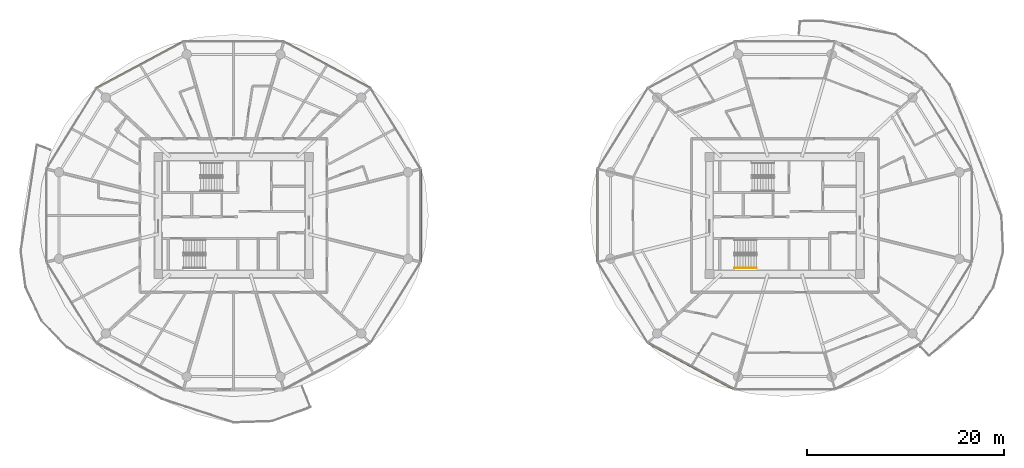
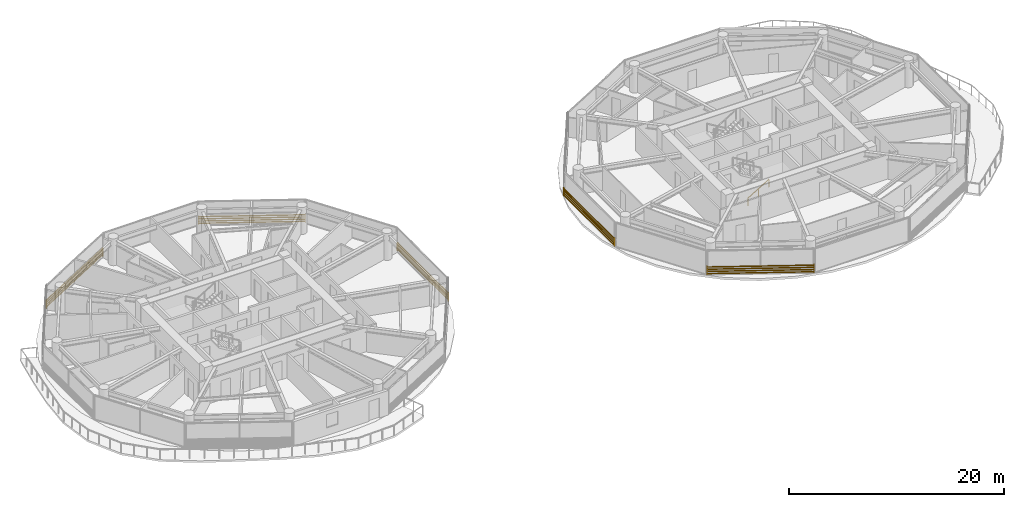
# One storey, part 25 of 27: 5 shading devices, 1 railing.
"""IFC4 building model written with IfcOpenShell, lengths in metres."""

from ifc_helpers import new_model, si_unit, direction, frame, origin, origin_2d, place, context, subcontext, project, spatial, rectangle, extrude, source, transform, mapped, material, type_object, type_shapes, element, save


model = new_model("IFC4")

# Units and contexts
model_context = context("Model", 3, precision=1e-05, world=origin(), true_north=direction((0.0, 1.0)))
body_context = subcontext(model_context, "Body", "Model", "MODEL_VIEW")
ifc_project = project(units=[si_unit("LENGTHUNIT", "METRE"), si_unit("AREAUNIT", "SQUARE_METRE"), si_unit("VOLUMEUNIT", "CUBIC_METRE"), si_unit("PLANEANGLEUNIT", "RADIAN"), si_unit("MASSUNIT", "GRAM", prefix="KILO")], contexts=[model_context])

# Site, building, storey
site_placement = place(None, origin())
site = spatial("IfcSite", under=ifc_project, at=site_placement, CompositionType="ELEMENT")
building_placement = place(site_placement, origin())
building = spatial("IfcBuilding", under=site, at=building_placement, Name="Norrkilde Senior Care Towers", CompositionType="ELEMENT")
storey_placement = place(building_placement, frame((0.0, 0.0, 46.0)))
storey = spatial("IfcBuildingStorey", under=building, at=storey_placement, Name="L13", CompositionType="ELEMENT", Elevation=46.0)

# Railing
ifc_material_1 = material(Name="Nordic Ash Timber", Category="wood")
railing_type = type_object("IfcRailingType", Name="Wall and Stair Handrail 900", PredefinedType="HANDRAIL", material=ifc_material_1)
railing_placement = place(storey_placement, frame((22.89990234375, -5.35009765625, 0.16943359375)))
element("IfcRailing", 1, at=railing_placement, inside=storey, type_object=railing_type, Name="L13 ST-E2 stair handrail 1", PredefinedType="HANDRAIL", context=body_context, shape_type="SweptSolid", body=[
    extrude(rectangle(XDim=0.048095703125, YDim=0.048095703125, at=origin_2d()), frame((0.0, 0.0, 0.8759765625), z_axis=(0.855553338991, 0.0, 0.51771467445), x_axis=(0.0, 1.0, 0.0)), (0.0, 0.0, 1.0), 2.6181640625),
    extrude(rectangle(XDim=0.0419921875, YDim=0.0419921875, at=origin_2d()), origin(), (0.0, 0.0, 1.0), 0.849853515625),
    extrude(rectangle(XDim=0.0419921875, YDim=0.0419921875, at=origin_2d()), frame((1.1201171875, 0.0, 0.677734375)), (0.0, 0.0, 1.0), 0.849853515625),
    extrude(rectangle(XDim=0.0419921875, YDim=0.0419921875, at=origin_2d()), frame((2.239990234375, 0.0, 1.35546875)), (0.0, 0.0, 1.0), 0.849853515625),
])

# Shading devices
ifc_material_2 = material(Name="Architectural Terracotta", Category="masonry")
shading_device_type = type_object("IfcShadingDeviceType", Name="Horizontal Terracotta Baguette Rack", PredefinedType="USERDEFINED", material=ifc_material_2)
shared_shape_1 = source(origin(), body_context, "Body", "SweptSolid", [
    extrude(rectangle(XDim=0.070068359375, YDim=0.110107421875, at=origin_2d()), frame((0.0, 0.090087890625, 0.125), z_axis=(1.0, 0.0, 0.0), x_axis=(0.0, 1.0, 0.0)), (0.0, 0.0, 1.0), 10.0107421875),
    extrude(rectangle(XDim=0.070068359375, YDim=0.110107421875, at=origin_2d()), frame((0.0, 0.090087890625, 0.375), z_axis=(1.0, 0.0, 0.0), x_axis=(0.0, 1.0, 0.0)), (0.0, 0.0, 1.0), 10.0107421875),
    extrude(rectangle(XDim=0.070068359375, YDim=0.110107421875, at=origin_2d()), frame((0.0, 0.090087890625, 0.625), z_axis=(1.0, 0.0, 0.0), x_axis=(0.0, 1.0, 0.0)), (0.0, 0.0, 1.0), 10.0107421875),
    extrude(rectangle(XDim=0.070068359375, YDim=0.110107421875, at=origin_2d()), frame((0.0, 0.090087890625, 0.875), z_axis=(1.0, 0.0, 0.0), x_axis=(0.0, 1.0, 0.0)), (0.0, 0.0, 1.0), 10.0107421875),
    extrude(rectangle(XDim=0.050048828125, YDim=0.1552734375, at=origin_2d()), frame((0.02490234375, 0.047607421875, 0.0)), (0.0, 0.0, 1.0), 1.0),
    extrude(rectangle(XDim=0.050048828125, YDim=0.1552734375, at=origin_2d()), frame((9.98583984375, 0.047607421875, 0.0)), (0.0, 0.0, 1.0), 1.0),
])
for number, where, z_axis, x_axis, name in (
    (2, (-22.906494140625, 17.6572265625, 0.080078125), (0.0, 0.0, 1.0), (0.881279875134, -0.472612428056, 0.0), "L13 Drum W Terracotta Baguette Screen 01"),
    (3, (-41.915771484375, 12.926025390625, 0.080078125), (0.0, 0.0, 1.0), (0.881279875134, 0.472612428056, 0.0), "L13 Drum W Terracotta Baguette Screen 03"),
    (4, (22.906494140625, -17.6572265625, 0.080078125), (0.0, 0.0, 1.0), (-0.881279875134, 0.472612428056, 0.0), "L13 Drum E Terracotta Baguette Screen 07"),
):
    element("IfcShadingDevice", number, at=place(storey_placement, frame(where, z_axis=z_axis, x_axis=x_axis)), inside=storey, type_object=shading_device_type, Name=name, ObjectType="BAGUETTE", PredefinedType="USERDEFINED", context=body_context, shape_type="MappedRepresentation", body=[
        mapped(shared_shape_1, transform((0.0, 0.0, 0.0), x_axis=(1.0, 0.0, 0.0), y_axis=(0.0, 1.0, 0.0), z_axis=(0.0, 0.0, 1.0), scale=1.0)),
    ])
shared_shape_2 = source(origin(), body_context, "Body", "SweptSolid", [
    extrude(rectangle(XDim=0.070068359375, YDim=0.110107421875, at=origin_2d()), frame((0.0, 0.090087890625, 0.125), z_axis=(1.0, 0.0, 0.0), x_axis=(0.0, 1.0, 0.0)), (0.0, 0.0, 1.0), 9.46240234375),
    extrude(rectangle(XDim=0.070068359375, YDim=0.110107421875, at=origin_2d()), frame((0.0, 0.090087890625, 0.375), z_axis=(1.0, 0.0, 0.0), x_axis=(0.0, 1.0, 0.0)), (0.0, 0.0, 1.0), 9.46240234375),
    extrude(rectangle(XDim=0.070068359375, YDim=0.110107421875, at=origin_2d()), frame((0.0, 0.090087890625, 0.625), z_axis=(1.0, 0.0, 0.0), x_axis=(0.0, 1.0, 0.0)), (0.0, 0.0, 1.0), 9.46240234375),
    extrude(rectangle(XDim=0.070068359375, YDim=0.110107421875, at=origin_2d()), frame((0.0, 0.090087890625, 0.875), z_axis=(1.0, 0.0, 0.0), x_axis=(0.0, 1.0, 0.0)), (0.0, 0.0, 1.0), 9.46240234375),
    extrude(rectangle(XDim=0.050048828125, YDim=0.1552734375, at=origin_2d()), frame((0.02490234375, 0.047607421875, 0.0)), (0.0, 0.0, 1.0), 1.0),
    extrude(rectangle(XDim=0.050048828125, YDim=0.1552734375, at=origin_2d()), frame((9.4375, 0.047607421875, 0.0)), (0.0, 0.0, 1.0), 1.0),
])
type_shapes(shading_device_type, [shared_shape_1, shared_shape_2])
for number, where, z_axis, x_axis, name in (
    (5, (-8.990478515625, 4.731201171875, 0.080078125), (0.0, 0.0, 1.0), (0.0, -1.0, 0.0), "L13 Drum W Terracotta Baguette Screen 11"),
    (6, (8.990478515625, -4.731201171875, 0.080078125), (0.0, 0.0, 1.0), (0.0, 1.0, 0.0), "L13 Drum E Terracotta Baguette Screen 05"),
):
    element("IfcShadingDevice", number, at=place(storey_placement, frame(where, z_axis=z_axis, x_axis=x_axis)), inside=storey, type_object=shading_device_type, Name=name, ObjectType="BAGUETTE", PredefinedType="USERDEFINED", context=body_context, shape_type="MappedRepresentation", body=[
        mapped(shared_shape_2, transform((0.0, 0.0, 0.0), x_axis=(1.0, 0.0, 0.0), y_axis=(0.0, 1.0, 0.0), z_axis=(0.0, 0.0, 1.0), scale=1.0)),
    ])

save(model, "model.ifc")
